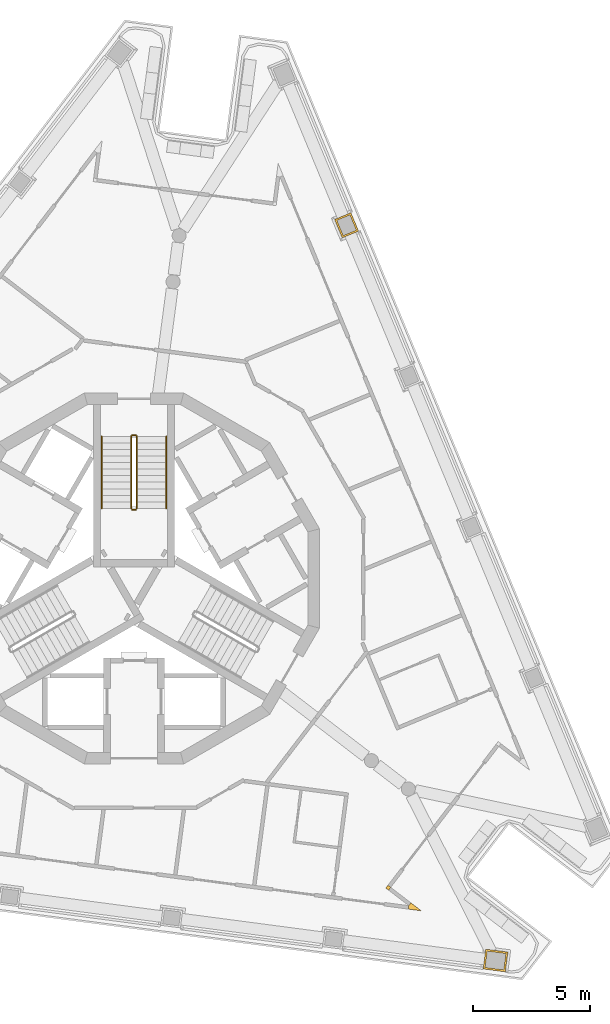
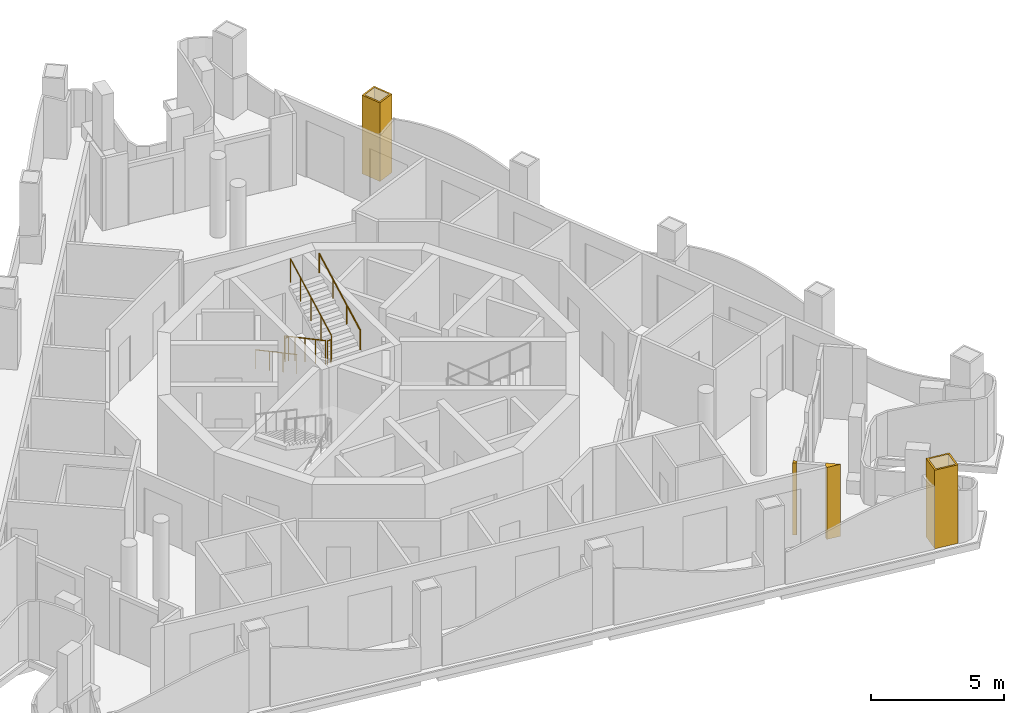
# One storey, part 10 of 12: 6 railings, 4 coverings.
"""IFC4 building model written with IfcOpenShell, lengths in metres."""

from ifc_helpers import new_model, si_unit, direction, frame, origin, origin_2d, place, context, subcontext, project, spatial, polyline, circle, outline, extrude, material, layer, layer_set, type_object, element, save


model = new_model("IFC4")

# Units and contexts
model_context = context("Model", 3, precision=1e-05, world=origin(), true_north=direction((0.0, 1.0)))
body_context = subcontext(model_context, "Body", "Model", "MODEL_VIEW")
ifc_project = project(units=[si_unit("LENGTHUNIT", "METRE"), si_unit("AREAUNIT", "SQUARE_METRE"), si_unit("VOLUMEUNIT", "CUBIC_METRE"), si_unit("PLANEANGLEUNIT", "RADIAN"), si_unit("MASSUNIT", "GRAM", prefix="KILO")], contexts=[model_context])

# Site, building, storey
site_placement = place(None, origin())
site = spatial("IfcSite", under=ifc_project, at=site_placement, CompositionType="ELEMENT")
building_placement = place(site_placement, origin())
building = spatial("IfcBuilding", under=site, at=building_placement, Name="Trine Commons Tower", CompositionType="ELEMENT")
storey_placement = place(building_placement, frame((0.0, 0.0, 275.39990234375)))
storey = spatial("IfcBuildingStorey", under=building, at=storey_placement, Name="L72", CompositionType="ELEMENT", Elevation=275.39990234375)

# Coverings
ifc_material_1 = material(Name="Aluminium-framed insulated wall panel", Category="aluminium")
ifc_layer_1 = layer(ifc_material_1, 0.14990234375)
ifc_layer_set_1 = layer_set([ifc_layer_1], Name="Aluminium-framed insulated wall panel")
covering_type_1 = type_object("IfcCoveringType", Name="Glazing corner post, aluminium", PredefinedType="CLADDING", material=ifc_layer_set_1)
covering_1_placement = place(storey_placement, origin())
element("IfcCovering", 1, at=covering_1_placement, inside=storey, type_object=covering_type_1, Name="Glazing corner post 8-08", PredefinedType="CLADDING", context=body_context, shape_type="SweptSolid", body=[
    extrude(outline(polyline([(90.86962890625, 49.193115234375), (90.9609375, 49.312255859375), (90.841796875, 49.403564453125), (90.75048828125, 49.284423828125), (90.86962890625, 49.193115234375)])), origin(), (0.0, 0.0, 1.0), 3.300048828125),
])
covering_2_placement = place(storey_placement, origin())
element("IfcCovering", 2, at=covering_2_placement, inside=storey, type_object=covering_type_1, Name="Glazing corner post 8-09", PredefinedType="CLADDING", context=body_context, shape_type="SweptSolid", body=[
    extrude(outline(polyline([(91.71142578125, 48.383544921875), (92.266357421875, 48.310302734375), (91.822265625, 48.651123046875), (91.73095703125, 48.5322265625), (91.71142578125, 48.383544921875)])), origin(), (0.0, 0.0, 1.0), 3.300048828125),
])
ifc_material_2 = material(Name="Limestone, honed", Category="masonry")
ifc_layer_2 = layer(ifc_material_2, 0.074951171875)
ifc_layer_set_2 = layer_set([ifc_layer_2], Name="Limestone, honed")
covering_type_2 = type_object("IfcCoveringType", Name="Limestone column cladding 75", PredefinedType="CLADDING", material=ifc_layer_set_2)
covering_3_placement = place(storey_placement, origin())
element("IfcCovering", 3, at=covering_3_placement, inside=storey, type_object=covering_type_2, Name="Limestone pier cladding 8-01", PredefinedType="CLADDING", context=body_context, shape_type="SweptSolid", body=[
    extrude(outline(polyline([(95.019287109375, 46.672119140625), (94.908447265625, 45.829345703125), (95.850341796875, 45.705322265625), (95.961181640625, 46.548095703125), (95.019287109375, 46.672119140625)]), holes=[polyline([(95.083984375, 46.587890625), (94.992431640625, 45.893798828125), (95.78564453125, 45.78955078125), (95.877197265625, 46.4833984375), (95.083984375, 46.587890625)])]), origin(), (0.0, 0.0, 1.0), 3.60009765625),
])
covering_4_placement = place(storey_placement, origin())
element("IfcCovering", 4, at=covering_4_placement, inside=storey, type_object=covering_type_2, Name="Limestone pier cladding 8-14", PredefinedType="CLADDING", context=body_context, shape_type="SweptSolid", body=[
    extrude(outline(polyline([(89.2607421875, 78.11669921875), (88.56787109375, 77.82958984375), (88.89306640625, 77.04443359375), (89.5859375, 77.33154296875), (89.2607421875, 78.11669921875)]), holes=[polyline([(89.22021484375, 78.018798828125), (88.665771484375, 77.789306640625), (88.93359375, 77.142333984375), (89.488037109375, 77.3720703125), (89.22021484375, 78.018798828125)])]), origin(), (0.0, 0.0, 1.0), 3.60009765625),
])

# Railings
ifc_material_3 = material(Name="Stainless steel balustrade", Category="steel")
railing_type_1 = type_object("IfcRailingType", Name="Stair guard, steel balustrade 1100", PredefinedType="GUARDRAIL", material=ifc_material_3)
railing_1_placement = place(storey_placement, frame((79.875, 68.570556640625, 0.150146484375)))
element("IfcRailing", 5, at=railing_1_placement, inside=storey, type_object=railing_type_1, Name="L72 ST1D stair guard 1", PredefinedType="GUARDRAIL", context=body_context, shape_type="SweptSolid", body=[
    extrude(circle(Radius=0.02392578125, at=origin_2d()), frame((0.0, 0.0, 1.076171875), z_axis=(0.0, -0.881496589024, 0.472190389079), x_axis=(1.0, 0.0, 0.0)), (0.0, 0.0, 1.0), 3.494140625),
    extrude(circle(Radius=0.02099609375, at=origin_2d()), origin(), (0.0, 0.0, 1.0), 1.052001953125),
    extrude(circle(Radius=0.02099609375, at=origin_2d()), frame((0.0, -0.77001953125, 0.41259765625)), (0.0, 0.0, 1.0), 1.052001953125),
    extrude(circle(Radius=0.02099609375, at=origin_2d()), frame((0.0, -1.5400390625, 0.824951171875)), (0.0, 0.0, 1.0), 1.052001953125),
    extrude(circle(Radius=0.02099609375, at=origin_2d()), frame((0.0, -2.31005859375, 1.2373046875)), (0.0, 0.0, 1.0), 1.052001953125),
    extrude(circle(Radius=0.02099609375, at=origin_2d()), frame((0.0, -3.080078125, 1.64990234375)), (0.0, 0.0, 1.0), 1.052001953125),
])
railing_2_placement = place(storey_placement, frame((79.925048828125, 65.440673828125, 1.800048828125)))
element("IfcRailing", 6, at=railing_2_placement, inside=storey, type_object=railing_type_1, Name="L72 ST1D stair guard 2", PredefinedType="GUARDRAIL", context=body_context, shape_type="SweptSolid", body=[
    extrude(circle(Radius=0.02392578125, at=origin_2d()), frame((0.0, 0.0, 1.076171875), z_axis=(1.0, 0.0, 0.0), x_axis=(0.0, 1.0, 0.0)), (0.0, 0.0, 1.0), 0.14990234375),
    extrude(circle(Radius=0.02099609375, at=origin_2d()), origin(), (0.0, 0.0, 1.0), 1.052001953125),
    extrude(circle(Radius=0.02099609375, at=origin_2d()), frame((0.14990234375, 0.0, 0.0)), (0.0, 0.0, 1.0), 1.052001953125),
])
railing_3_placement = place(storey_placement, frame((80.125, 65.490478515625, 1.9501953125)))
element("IfcRailing", 7, at=railing_3_placement, inside=storey, type_object=railing_type_1, Name="L72 ST1D stair guard 3", PredefinedType="GUARDRAIL", context=body_context, shape_type="SweptSolid", body=[
    extrude(circle(Radius=0.02392578125, at=origin_2d()), frame((0.0, 0.0, 1.076171875), z_axis=(0.0, 0.881496589024, 0.472190389079), x_axis=(-1.0, 0.0, 0.0)), (0.0, 0.0, 1.0), 3.494140625),
    extrude(circle(Radius=0.02099609375, at=origin_2d()), origin(), (0.0, 0.0, 1.0), 1.052001953125),
    extrude(circle(Radius=0.02099609375, at=origin_2d()), frame((0.0, 0.77001953125, 0.41259765625)), (0.0, 0.0, 1.0), 1.052001953125),
    extrude(circle(Radius=0.02099609375, at=origin_2d()), frame((0.0, 1.5400390625, 0.824951171875)), (0.0, 0.0, 1.0), 1.052001953125),
    extrude(circle(Radius=0.02099609375, at=origin_2d()), frame((0.0, 2.31005859375, 1.2373046875)), (0.0, 0.0, 1.0), 1.052001953125),
    extrude(circle(Radius=0.02099609375, at=origin_2d()), frame((0.0, 3.080078125, 1.64990234375)), (0.0, 0.0, 1.0), 1.052001953125),
])
railing_4_placement = place(storey_placement, frame((79.925048828125, 68.62060546875, 0.0)))
element("IfcRailing", 8, at=railing_4_placement, inside=storey, type_object=railing_type_1, Name="L72 ST1D stair guard 4", PredefinedType="GUARDRAIL", context=body_context, shape_type="SweptSolid", body=[
    extrude(circle(Radius=0.02392578125, at=origin_2d()), frame((0.0, 0.0, 1.076171875), z_axis=(1.0, 0.0, 0.0), x_axis=(0.0, 1.0, 0.0)), (0.0, 0.0, 1.0), 0.14990234375),
    extrude(circle(Radius=0.02099609375, at=origin_2d()), origin(), (0.0, 0.0, 1.0), 1.052001953125),
    extrude(circle(Radius=0.02099609375, at=origin_2d()), frame((0.14990234375, 0.0, 0.0)), (0.0, 0.0, 1.0), 1.052001953125),
])
ifc_material_4 = material(Name="Stainless steel handrail", Category="steel")
railing_type_2 = type_object("IfcRailingType", Name="Stair handrail, steel 900", PredefinedType="HANDRAIL", material=ifc_material_4)
railing_5_placement = place(storey_placement, frame((78.625, 68.570556640625, 0.150146484375)))
element("IfcRailing", 9, at=railing_5_placement, inside=storey, type_object=railing_type_2, Name="L72 ST1D stair handrail 1", PredefinedType="HANDRAIL", context=body_context, shape_type="SweptSolid", body=[
    extrude(circle(Radius=0.02099609375, at=origin_2d()), frame((0.0, 0.0, 0.87890625), z_axis=(0.0, -0.881496589024, 0.472190389079), x_axis=(1.0, 0.0, 0.0)), (0.0, 0.0, 1.0), 3.494140625),
    extrude(circle(Radius=0.01513671875, at=origin_2d()), origin(), (0.0, 0.0, 1.0), 0.85791015625),
    extrude(circle(Radius=0.01513671875, at=origin_2d()), frame((0.0, -1.026611328125, 0.550048828125)), (0.0, 0.0, 1.0), 0.85791015625),
    extrude(circle(Radius=0.01513671875, at=origin_2d()), frame((0.0, -2.053466796875, 1.099853515625)), (0.0, 0.0, 1.0), 0.85791015625),
    extrude(circle(Radius=0.01513671875, at=origin_2d()), frame((0.0, -3.080078125, 1.64990234375)), (0.0, 0.0, 1.0), 0.85791015625),
])
railing_6_placement = place(storey_placement, frame((81.375, 65.490478515625, 1.9501953125)))
element("IfcRailing", 10, at=railing_6_placement, inside=storey, type_object=railing_type_2, Name="L72 ST1D stair handrail 2", PredefinedType="HANDRAIL", context=body_context, shape_type="SweptSolid", body=[
    extrude(circle(Radius=0.02099609375, at=origin_2d()), frame((0.0, 0.0, 0.87890625), z_axis=(0.0, 0.881496589024, 0.472190389079), x_axis=(-1.0, 0.0, 0.0)), (0.0, 0.0, 1.0), 3.494140625),
    extrude(circle(Radius=0.01513671875, at=origin_2d()), origin(), (0.0, 0.0, 1.0), 0.85791015625),
    extrude(circle(Radius=0.01513671875, at=origin_2d()), frame((0.0, 1.026611328125, 0.550048828125)), (0.0, 0.0, 1.0), 0.85791015625),
    extrude(circle(Radius=0.01513671875, at=origin_2d()), frame((0.0, 2.053466796875, 1.099853515625)), (0.0, 0.0, 1.0), 0.85791015625),
    extrude(circle(Radius=0.01513671875, at=origin_2d()), frame((0.0, 3.080078125, 1.64990234375)), (0.0, 0.0, 1.0), 0.85791015625),
])

save(model, "model.ifc")
